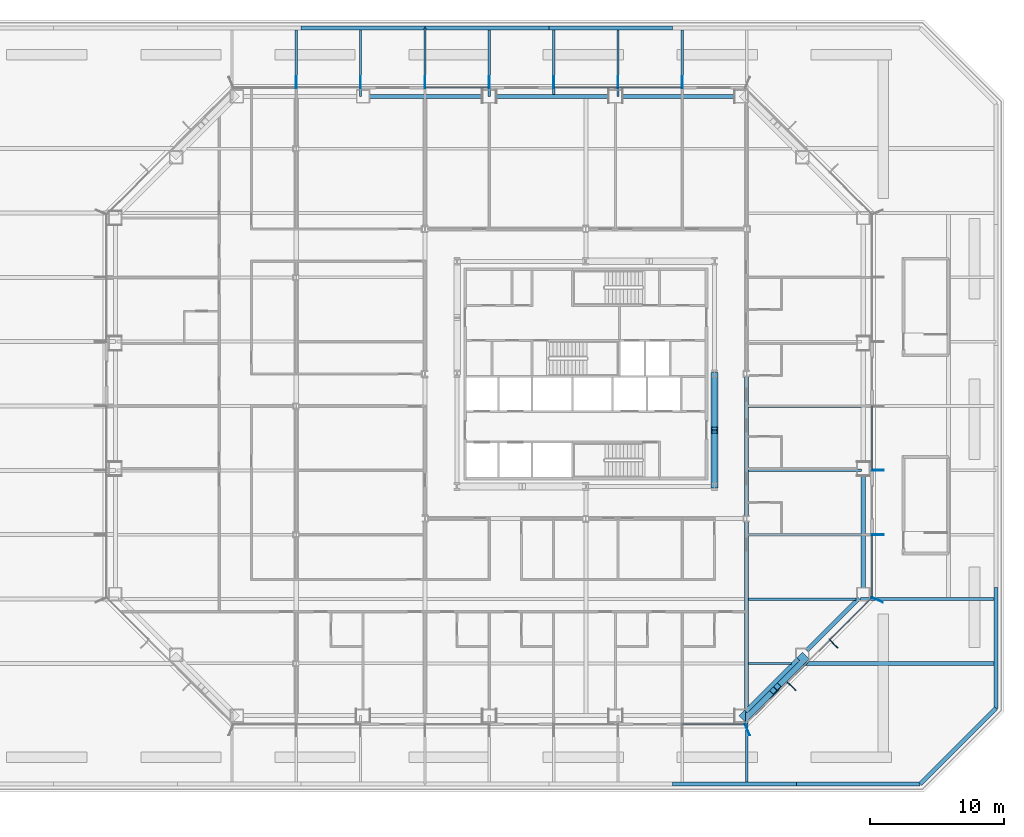
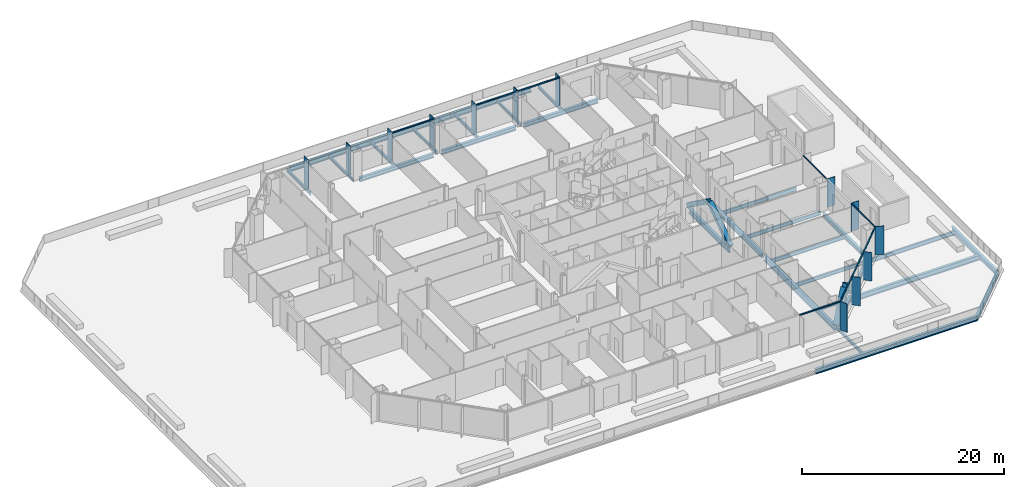
# One storey, part 5 of 18: 31 beams, 26 members, 4 elements without a shape of their own.
"""IFC4 building model written with IfcOpenShell, lengths in metres."""

from ifc_helpers import new_model, si_unit, direction, frame, origin, origin_2d, place, context, subcontext, project, spatial, rectangle, hollow_rectangle, i_section, extrude, material, material_profile, profile_set, type_object, element, aggregate, save


model = new_model("IFC4")

# Units and contexts
model_context = context("Model", 3, precision=1e-05, world=origin(), true_north=direction((0.0, 1.0)))
body_context = subcontext(model_context, "Body", "Model", "MODEL_VIEW")
ifc_project = project(units=[si_unit("LENGTHUNIT", "METRE"), si_unit("AREAUNIT", "SQUARE_METRE"), si_unit("VOLUMEUNIT", "CUBIC_METRE"), si_unit("PLANEANGLEUNIT", "RADIAN"), si_unit("MASSUNIT", "GRAM", prefix="KILO")], contexts=[model_context])

# Site, building, storey
site_placement = place(None, origin())
site = spatial("IfcSite", under=ifc_project, at=site_placement, CompositionType="ELEMENT")
building_placement = place(site_placement, origin())
building = spatial("IfcBuilding", under=site, at=building_placement, Name="Cairn Pilgrim Tower", CompositionType="ELEMENT")
storey_placement = place(building_placement, frame((0.0, 0.0, 40.199951171875)))
storey = spatial("IfcBuildingStorey", under=building, at=storey_placement, Name="L07", CompositionType="ELEMENT", Elevation=40.199951171875)

# Members
ifc_material_1 = material(Name="Structural steel S460M", Category="steel")
ifc_material_profile_1 = material_profile(ifc_material_1, hollow_rectangle(XDim=0.5, YDim=0.5, WallThickness=0.030029296875, at=origin_2d()), Name="BOX 500x500x30")
ifc_profile_set_1 = profile_set([ifc_material_profile_1], Name="Structural steel S460M")
member_type_1 = type_object("IfcMemberType", Name="BOX 500x500x30 BRACE", PredefinedType="BRACE", material=ifc_profile_set_1)
member_1_placement = place(storey_placement, frame((16.800048828125, -5.95458984375, 0.10009765625), z_axis=(0.0, 0.814083383497, 0.580748004486), x_axis=(-1.0, 0.0, 0.0)))
element("IfcMember", 1, at=member_1_placement, inside=storey, type_object=member_type_1, Name="KB-2A", PredefinedType="BRACE", context=body_context, shape_type="SweptSolid", body=[
    extrude(hollow_rectangle(XDim=0.5, YDim=0.5, WallThickness=0.030029296875, at=origin_2d()), origin(), (0.0, 0.0, 1.0), 4.9951171875),
])
member_2_placement = place(storey_placement, frame((16.800048828125, 2.3544921875, 0.10009765625), z_axis=(0.0, -0.814066898095, 0.580771112769), x_axis=(1.0, 0.0, 0.0)))
element("IfcMember", 2, at=member_2_placement, inside=storey, type_object=member_type_1, Name="KB-2B", PredefinedType="BRACE", context=body_context, shape_type="SweptSolid", body=[
    extrude(hollow_rectangle(XDim=0.5, YDim=0.5, WallThickness=0.030029296875, at=origin_2d()), origin(), (0.0, 0.0, 1.0), 4.994873046875),
])
ifc_material_profile_2 = material_profile(ifc_material_1, hollow_rectangle(XDim=0.699951171875, YDim=0.699951171875, WallThickness=0.0400390625, at=origin_2d()), Name="BOX 700x700x40")
ifc_profile_set_2 = profile_set([ifc_material_profile_2], Name="Structural steel S460M")
member_type_2 = type_object("IfcMemberType", Name="BOX 700x700x40 BRACE", PredefinedType="BRACE", material=ifc_profile_set_2)
member_3_placement = place(storey_placement, frame((19.0498046875, -23.181396484375, 0.150146484375), z_axis=(0.528118110354, 0.528118110354, 0.664968061663), x_axis=(-0.707106781187, 0.707106781187, 0.0)))
element("IfcMember", 3, at=member_3_placement, inside=storey, type_object=member_type_2, Name="XB-SE1-SE2-1", PredefinedType="BRACE", context=body_context, shape_type="SweptSolid", body=[
    extrude(hollow_rectangle(XDim=0.699951171875, YDim=0.699951171875, WallThickness=0.0400390625, at=origin_2d()), origin(), (0.0, 0.0, 1.0), 3.89990234375),
])
member_4_placement = place(storey_placement, frame((23.44482421875, -18.786376953125, 0.150146484375), z_axis=(-0.528090425698, -0.528090425698, 0.665012033404), x_axis=(0.707106781187, -0.707106781187, 0.0)))
element("IfcMember", 4, at=member_4_placement, inside=storey, type_object=member_type_2, Name="XB-SE1-SE2-2", PredefinedType="BRACE", context=body_context, shape_type="SweptSolid", body=[
    extrude(hollow_rectangle(XDim=0.699951171875, YDim=0.699951171875, WallThickness=0.0400390625, at=origin_2d()), origin(), (0.0, 0.0, 1.0), 3.899658203125),
])

# Curtain wall, members
ifc_material_2 = material(Name="Aluminium alloy 6063-T6 bronze anodised with Bronze tinted laminated low-E glass 8+16+8.8", Category="aluminium")
curtain_wall_type_1 = type_object("IfcCurtainWallType", Name="CHAMFER CORNER CURTAIN WALL", PredefinedType="NOTDEFINED", material=ifc_material_2)
curtain_wall_1_placement = place(storey_placement, origin())
curtain_wall_1 = element("IfcCurtainWall", 5, at=curtain_wall_1_placement, inside=storey, type_object=curtain_wall_type_1, Name="Chamfer Corner Curtain Wall SE", PredefinedType="NOTDEFINED")
ifc_material_3 = material(Name="Aluminium alloy 6063-T6 bronze anodised", Category="aluminium")
ifc_material_profile_3 = material_profile(ifc_material_3, rectangle(XDim=0.89990234375, YDim=0.06005859375, at=origin_2d()), Name="FIN MULLION 60x900 BRONZE")
ifc_profile_set_3 = profile_set([ifc_material_profile_3], Name="Aluminium alloy 6063-T6 bronze anodised")
member_type_3 = type_object("IfcMemberType", Name="FIN MULLION 60x900 BRONZE", PredefinedType="MULLION", material=ifc_profile_set_3)
member_5_placement = place(storey_placement, frame((19.257080078125, -24.137939453125, 0.0), z_axis=(0.0, 0.0, 1.0), x_axis=(0.382683432365, -0.923879532511, 0.0)))
member_5 = element("IfcMember", 6, at=member_5_placement, type_object=member_type_3, Name="Fin mullion SE1", PredefinedType="MULLION", context=body_context, shape_type="SweptSolid", body=[
    extrude(rectangle(XDim=0.89990234375, YDim=0.06005859375, at=origin_2d()), origin(), (0.0, 0.0, 1.0), 3.449951171875),
])
member_6_placement = place(storey_placement, frame((22.544677734375, -20.895751953125, 0.0), z_axis=(0.0, 0.0, 1.0), x_axis=(0.707106781187, -0.707106781187, 0.0)))
member_6 = element("IfcMember", 7, at=member_6_placement, type_object=member_type_3, Name="Fin mullion SE2", PredefinedType="MULLION", context=body_context, shape_type="SweptSolid", body=[
    extrude(rectangle(XDim=0.89990234375, YDim=0.06005859375, at=origin_2d()), origin(), (0.0, 0.0, 1.0), 3.449951171875),
])
member_7_placement = place(storey_placement, frame((25.69580078125, -17.74462890625, 0.0), z_axis=(0.0, 0.0, 1.0), x_axis=(0.707106781187, -0.707106781187, 0.0)))
member_7 = element("IfcMember", 8, at=member_7_placement, type_object=member_type_3, Name="Fin mullion SE3", PredefinedType="MULLION", context=body_context, shape_type="SweptSolid", body=[
    extrude(rectangle(XDim=0.89990234375, YDim=0.06005859375, at=origin_2d()), origin(), (0.0, 0.0, 1.0), 3.449951171875),
])

curtain_wall_type_2 = type_object("IfcCurtainWallType", Name="TOWER STICK CURTAIN WALL EW", PredefinedType="NOTDEFINED", material=ifc_material_2)
curtain_wall_2_placement = place(storey_placement, origin())
curtain_wall_2 = element("IfcCurtainWall", 9, at=curtain_wall_2_placement, inside=storey, type_object=curtain_wall_type_2, Name="Tower Stick Curtain Wall Ew E", PredefinedType="NOTDEFINED")
member_8_placement = place(storey_placement, frame((28.93798828125, -14.457275390625, 0.0), z_axis=(0.0, 0.0, 1.0), x_axis=(0.923879532511, -0.382683432365, 0.0)))
member_8 = element("IfcMember", 10, at=member_8_placement, type_object=member_type_3, Name="Fin mullion E1", PredefinedType="MULLION", context=body_context, shape_type="SweptSolid", body=[
    extrude(rectangle(XDim=0.89990234375, YDim=0.06005859375, at=origin_2d()), origin(), (0.0, 0.0, 1.0), 3.449951171875),
])
member_9_placement = place(storey_placement, frame((28.969970703125, -9.60009765625, 0.0), z_axis=(0.0, 0.0, 1.0), x_axis=(1.0, 0.0, 0.0)))
member_9 = element("IfcMember", 11, at=member_9_placement, type_object=member_type_3, Name="Fin mullion E2", PredefinedType="MULLION", context=body_context, shape_type="SweptSolid", body=[
    extrude(rectangle(XDim=0.89990234375, YDim=0.06005859375, at=origin_2d()), origin(), (0.0, 0.0, 1.0), 3.449951171875),
])
member_10_placement = place(storey_placement, frame((28.969970703125, -4.800048828125, 0.0), z_axis=(0.0, 0.0, 1.0), x_axis=(1.0, 0.0, 0.0)))
member_10 = element("IfcMember", 12, at=member_10_placement, type_object=member_type_3, Name="Fin mullion E3", PredefinedType="MULLION", context=body_context, shape_type="SweptSolid", body=[
    extrude(rectangle(XDim=0.89990234375, YDim=0.06005859375, at=origin_2d()), origin(), (0.0, 0.0, 1.0), 3.449951171875),
])

curtain_wall_type_3 = type_object("IfcCurtainWallType", Name="TOWER STICK CURTAIN WALL NS", PredefinedType="NOTDEFINED", material=ifc_material_2)
curtain_wall_3_placement = place(storey_placement, origin())
curtain_wall_3 = element("IfcCurtainWall", 13, at=curtain_wall_3_placement, inside=storey, type_object=curtain_wall_type_3, Name="Tower Stick Curtain Wall Ns N", PredefinedType="NOTDEFINED")
member_11_placement = place(storey_placement, frame((14.39990234375, 24.169921875, 0.0), z_axis=(0.0, 0.0, 1.0), x_axis=(0.0, 1.0, 0.0)))
member_11 = element("IfcMember", 14, at=member_11_placement, type_object=member_type_3, Name="Fin mullion N2", PredefinedType="MULLION", context=body_context, shape_type="SweptSolid", body=[
    extrude(rectangle(XDim=0.89990234375, YDim=0.06005859375, at=origin_2d()), origin(), (0.0, 0.0, 1.0), 3.449951171875),
])
member_12_placement = place(storey_placement, frame((9.60009765625, 24.169921875, 0.0), z_axis=(0.0, 0.0, 1.0), x_axis=(0.0, 1.0, 0.0)))
member_12 = element("IfcMember", 15, at=member_12_placement, type_object=member_type_3, Name="Fin mullion N3", PredefinedType="MULLION", context=body_context, shape_type="SweptSolid", body=[
    extrude(rectangle(XDim=0.89990234375, YDim=0.06005859375, at=origin_2d()), origin(), (0.0, 0.0, 1.0), 3.449951171875),
])
member_13_placement = place(storey_placement, frame((4.800048828125, 24.169921875, 0.0), z_axis=(0.0, 0.0, 1.0), x_axis=(0.0, 1.0, 0.0)))
member_13 = element("IfcMember", 16, at=member_13_placement, type_object=member_type_3, Name="Fin mullion N4", PredefinedType="MULLION", context=body_context, shape_type="SweptSolid", body=[
    extrude(rectangle(XDim=0.89990234375, YDim=0.06005859375, at=origin_2d()), origin(), (0.0, 0.0, 1.0), 3.449951171875),
])
member_14_placement = place(storey_placement, frame((0.0, 24.169921875, 0.0), z_axis=(0.0, 0.0, 1.0), x_axis=(0.0, 1.0, 0.0)))
member_14 = element("IfcMember", 17, at=member_14_placement, type_object=member_type_3, Name="Fin mullion N5", PredefinedType="MULLION", context=body_context, shape_type="SweptSolid", body=[
    extrude(rectangle(XDim=0.89990234375, YDim=0.06005859375, at=origin_2d()), origin(), (0.0, 0.0, 1.0), 3.449951171875),
])
member_15_placement = place(storey_placement, frame((-4.800048828125, 24.169921875, 0.0), z_axis=(0.0, 0.0, 1.0), x_axis=(0.0, 1.0, 0.0)))
member_15 = element("IfcMember", 18, at=member_15_placement, type_object=member_type_3, Name="Fin mullion N6", PredefinedType="MULLION", context=body_context, shape_type="SweptSolid", body=[
    extrude(rectangle(XDim=0.89990234375, YDim=0.06005859375, at=origin_2d()), origin(), (0.0, 0.0, 1.0), 3.449951171875),
])
member_16_placement = place(storey_placement, frame((-9.60009765625, 24.169921875, 0.0), z_axis=(0.0, 0.0, 1.0), x_axis=(0.0, 1.0, 0.0)))
member_16 = element("IfcMember", 19, at=member_16_placement, type_object=member_type_3, Name="Fin mullion N7", PredefinedType="MULLION", context=body_context, shape_type="SweptSolid", body=[
    extrude(rectangle(XDim=0.89990234375, YDim=0.06005859375, at=origin_2d()), origin(), (0.0, 0.0, 1.0), 3.449951171875),
])
member_17_placement = place(storey_placement, frame((-14.39990234375, 24.169921875, 0.0), z_axis=(0.0, 0.0, 1.0), x_axis=(0.0, 1.0, 0.0)))
member_17 = element("IfcMember", 20, at=member_17_placement, type_object=member_type_3, Name="Fin mullion N8", PredefinedType="MULLION", context=body_context, shape_type="SweptSolid", body=[
    extrude(rectangle(XDim=0.89990234375, YDim=0.06005859375, at=origin_2d()), origin(), (0.0, 0.0, 1.0), 3.449951171875),
])

# Beams
ifc_material_4 = material(Name="Structural steel S355J2", Category="steel")
ifc_material_profile_4 = material_profile(ifc_material_4, i_section(OverallWidth=0.300048828125, OverallDepth=0.5, WebThickness=0.014404296875, FlangeThickness=0.028076171875, FilletRadius=0.027099609375, at=origin_2d()), Name="HEB 500")
ifc_profile_set_4 = profile_set([ifc_material_profile_4], Name="Structural steel S355J2")
beam_type_1 = type_object("IfcBeamType", Name="HEB 500 RING GIRDER", PredefinedType="SPANDREL", material=ifc_profile_set_4)
for number, where, z_axis, x_axis, name in (
    (21, (19.1455078125, -22.78173828125, -0.39990234375), (0.707106781187, 0.707106781187, 0.0), (-0.707106781187, 0.707106781187, 0.0), "RG1-SE1-SE2"),
    (22, (23.681884765625, -18.245361328125, -0.39990234375), (0.707106781187, 0.707106781187, 0.0), (-0.707106781187, 0.707106781187, 0.0), "RG1-SE2-E1"),
):
    element("IfcBeam", number, at=place(storey_placement, frame(where, z_axis=z_axis, x_axis=x_axis)), inside=storey, type_object=beam_type_1, Name=name, PredefinedType="SPANDREL", context=body_context, shape_type="SweptSolid", body=[
        extrude(i_section(OverallWidth=0.300048828125, OverallDepth=0.5, WebThickness=0.014404296875, FlangeThickness=0.028076171875, FilletRadius=0.027099609375, at=origin_2d()), origin(), (0.0, 0.0, 1.0), 5.515380859375),
    ])
beam_1_placement = place(storey_placement, frame((27.89990234375, -13.5771484375, -0.39990234375), z_axis=(0.0, 1.0, 0.0), x_axis=(-1.0, 0.0, 0.0)))
element("IfcBeam", 23, at=beam_1_placement, inside=storey, type_object=beam_type_1, Name="RG1-E1-E2", PredefinedType="SPANDREL", context=body_context, shape_type="SweptSolid", body=[
    extrude(i_section(OverallWidth=0.300048828125, OverallDepth=0.5, WebThickness=0.014404296875, FlangeThickness=0.028076171875, FilletRadius=0.027099609375, at=origin_2d()), origin(), (0.0, 0.0, 1.0), 8.451416015625),
])
for number, where, z_axis, x_axis, name in (
    (24, (18.377197265625, 23.10009765625, -0.39990234375), (-1.0, 0.0, 0.0), (0.0, -1.0, 0.0), "RG1-N1-N2"),
    (25, (8.963623046875, 23.10009765625, -0.39990234375), (-1.0, 0.0, 0.0), (0.0, -1.0, 0.0), "RG1-N2-N3"),
    (26, (-0.449951171875, 23.10009765625, -0.39990234375), (-1.0, 0.0, 0.0), (0.0, -1.0, 0.0), "RG1-N3-N4"),
):
    element("IfcBeam", number, at=place(storey_placement, frame(where, z_axis=z_axis, x_axis=x_axis)), inside=storey, type_object=beam_type_1, Name=name, PredefinedType="SPANDREL", context=body_context, shape_type="SweptSolid", body=[
        extrude(i_section(OverallWidth=0.300048828125, OverallDepth=0.5, WebThickness=0.014404296875, FlangeThickness=0.028076171875, FilletRadius=0.027099609375, at=origin_2d()), origin(), (0.0, 0.0, 1.0), 8.513671875),
    ])
ifc_material_profile_5 = material_profile(ifc_material_4, i_section(OverallWidth=0.300048828125, OverallDepth=0.60009765625, WebThickness=0.015380859375, FlangeThickness=0.030029296875, FilletRadius=0.027099609375, at=origin_2d()), Name="HEB 600")
ifc_profile_set_5 = profile_set([ifc_material_profile_5], Name="Structural steel S355J2")
beam_type_2 = type_object("IfcBeamType", Name="HEB 600 CORE BEAM", PredefinedType="BEAM", material=ifc_profile_set_5)
beam_2_placement = place(storey_placement, frame((16.800048828125, -5.795654296875, -0.449951171875), z_axis=(0.0, 1.0, 0.0), x_axis=(-1.0, 0.0, 0.0)))
element("IfcBeam", 27, at=beam_2_placement, inside=storey, type_object=beam_type_2, Name="CB-3", PredefinedType="BEAM", context=body_context, shape_type="SweptSolid", body=[
    extrude(i_section(OverallWidth=0.300048828125, OverallDepth=0.60009765625, WebThickness=0.015380859375, FlangeThickness=0.030029296875, FilletRadius=0.027099609375, at=origin_2d()), origin(), (0.0, 0.0, 1.0), 7.991455078125),
])
ifc_material_profile_6 = material_profile(ifc_material_4, i_section(OverallWidth=0.300048828125, OverallDepth=0.60009765625, WebThickness=0.015380859375, FlangeThickness=0.030029296875, FilletRadius=0.027099609375, at=origin_2d()), Name="HEB 600")
ifc_profile_set_6 = profile_set([ifc_material_profile_6], Name="Structural steel S355J2")
beam_type_3 = type_object("IfcBeamType", Name="HEB 600 GIRDER", PredefinedType="BEAM", material=ifc_profile_set_6)
beam_3_placement = place(storey_placement, frame((19.199951171875, -8.18798828125, -0.449951171875), z_axis=(0.0, 1.0, 0.0), x_axis=(-1.0, 0.0, 0.0)))
element("IfcBeam", 28, at=beam_3_placement, inside=storey, type_object=beam_type_3, Name="PG4-2", PredefinedType="BEAM", context=body_context, shape_type="SweptSolid", body=[
    extrude(i_section(OverallWidth=0.300048828125, OverallDepth=0.60009765625, WebThickness=0.015380859375, FlangeThickness=0.030029296875, FilletRadius=0.027099609375, at=origin_2d()), origin(), (0.0, 0.0, 1.0), 10.3759765625),
])
ifc_material_profile_7 = material_profile(ifc_material_4, i_section(OverallWidth=0.300048828125, OverallDepth=0.699951171875, WebThickness=0.01708984375, FlangeThickness=0.031982421875, FilletRadius=0.027099609375, at=origin_2d()), Name="HEB 700")
ifc_profile_set_7 = profile_set([ifc_material_profile_7], Name="Structural steel S355J2")
beam_type_4 = type_object("IfcBeamType", Name="HEB 700 GIRDER", PredefinedType="BEAM", material=ifc_profile_set_7)
beam_4_placement = place(storey_placement, frame((19.199951171875, -22.545166015625, -0.5), z_axis=(0.0, 1.0, 0.0), x_axis=(-1.0, 0.0, 0.0)))
element("IfcBeam", 29, at=beam_4_placement, inside=storey, type_object=beam_type_4, Name="PG4-1", PredefinedType="BEAM", context=body_context, shape_type="SweptSolid", body=[
    extrude(i_section(OverallWidth=0.300048828125, OverallDepth=0.699951171875, WebThickness=0.01708984375, FlangeThickness=0.031982421875, FilletRadius=0.027099609375, at=origin_2d()), origin(), (0.0, 0.0, 1.0), 13.93310546875),
])
ifc_material_profile_8 = material_profile(ifc_material_4, i_section(OverallWidth=0.169921875, OverallDepth=0.360107421875, WebThickness=0.008056640625, FlangeThickness=0.0126953125, FilletRadius=0.01806640625, at=origin_2d()), Name="IPE 360")
ifc_profile_set_8 = profile_set([ifc_material_profile_8], Name="Structural steel S355J2")
beam_type_5 = type_object("IfcBeamType", Name="IPE 360 SECONDARY BEAM", PredefinedType="JOIST", material=ifc_profile_set_8)
beam_5_placement = place(storey_placement, frame((19.35009765625, -19.199951171875, -0.329833984375), z_axis=(1.0, 0.0, 0.0), x_axis=(0.0, 1.0, 0.0)))
element("IfcBeam", 30, at=beam_5_placement, inside=storey, type_object=beam_type_5, Name="SB1-5", PredefinedType="JOIST", context=body_context, shape_type="SweptSolid", body=[
    extrude(i_section(OverallWidth=0.169921875, OverallDepth=0.360107421875, WebThickness=0.008056640625, FlangeThickness=0.0126953125, FilletRadius=0.01806640625, at=origin_2d()), origin(), (0.0, 0.0, 1.0), 3.195068359375),
])
ifc_material_profile_9 = material_profile(ifc_material_4, i_section(OverallWidth=0.18994140625, OverallDepth=0.449951171875, WebThickness=0.009521484375, FlangeThickness=0.0146484375, FilletRadius=0.02099609375, at=origin_2d()), Name="IPE 450")
ifc_profile_set_9 = profile_set([ifc_material_profile_9], Name="Structural steel S355J2")
beam_type_6 = type_object("IfcBeamType", Name="IPE 450 SECONDARY BEAM", PredefinedType="JOIST", material=ifc_profile_set_9)
beam_6_placement = place(storey_placement, frame((19.35009765625, -14.39990234375, -0.375), z_axis=(1.0, 0.0, 0.0), x_axis=(0.0, 1.0, 0.0)))
element("IfcBeam", 31, at=beam_6_placement, inside=storey, type_object=beam_type_6, Name="SB2-5", PredefinedType="JOIST", context=body_context, shape_type="SweptSolid", body=[
    extrude(i_section(OverallWidth=0.18994140625, OverallDepth=0.449951171875, WebThickness=0.009521484375, FlangeThickness=0.0146484375, FilletRadius=0.02099609375, at=origin_2d()), origin(), (0.0, 0.0, 1.0), 7.9951171875),
])
for number, where, z_axis, x_axis, name in (
    (32, (19.35009765625, -9.60009765625, -0.375), (1.0, 0.0, 0.0), (0.0, 1.0, 0.0), "SB3-3"),
    (33, (19.35009765625, -4.800048828125, -0.375), (1.0, 0.0, 0.0), (0.0, 1.0, 0.0), "SB4-3"),
    (34, (19.35009765625, 0.0, -0.375), (1.0, 0.0, 0.0), (0.0, 1.0, 0.0), "SB5-3"),
):
    element("IfcBeam", number, at=place(storey_placement, frame(where, z_axis=z_axis, x_axis=x_axis)), inside=storey, type_object=beam_type_6, Name=name, PredefinedType="JOIST", context=body_context, shape_type="SweptSolid", body=[
        extrude(i_section(OverallWidth=0.18994140625, OverallDepth=0.449951171875, WebThickness=0.009521484375, FlangeThickness=0.0146484375, FilletRadius=0.02099609375, at=origin_2d()), origin(), (0.0, 0.0, 1.0), 8.429931640625),
    ])
ifc_material_profile_10 = material_profile(ifc_material_4, i_section(OverallWidth=0.300048828125, OverallDepth=0.60009765625, WebThickness=0.015380859375, FlangeThickness=0.030029296875, FilletRadius=0.027099609375, at=origin_2d()), Name="HEB 600")
ifc_profile_set_10 = profile_set([ifc_material_profile_10], Name="Structural steel S355J2")
beam_type_7 = type_object("IfcBeamType", Name="PODIUM BEAM HE 600 B", PredefinedType="BEAM", material=ifc_profile_set_10)
beam_7_placement = place(storey_placement, frame((22.879150390625, -19.199951171875, -0.449951171875), z_axis=(1.0, 0.0, 0.0), x_axis=(0.0, 1.0, 0.0)))
element("IfcBeam", 35, at=beam_7_placement, inside=storey, type_object=beam_type_7, Name="PODIUM BEAM PB-HE600B", PredefinedType="BEAM", context=body_context, shape_type="SweptSolid", body=[
    extrude(i_section(OverallWidth=0.300048828125, OverallDepth=0.60009765625, WebThickness=0.015380859375, FlangeThickness=0.030029296875, FilletRadius=0.027099609375, at=origin_2d()), origin(), (0.0, 0.0, 1.0), 14.768798828125),
])
ifc_material_profile_11 = material_profile(ifc_material_4, i_section(OverallWidth=0.169921875, OverallDepth=0.360107421875, WebThickness=0.008056640625, FlangeThickness=0.0126953125, FilletRadius=0.01806640625, at=origin_2d()), Name="IPE 360")
ifc_profile_set_11 = profile_set([ifc_material_profile_11], Name="Structural steel S355J2")
beam_type_8 = type_object("IfcBeamType", Name="PODIUM BEAM IPE 360", PredefinedType="BEAM", material=ifc_profile_set_11)
beam_8_placement = place(storey_placement, frame((-14.39990234375, 23.251953125, -0.329833984375), z_axis=(0.0, 1.0, 0.0), x_axis=(-1.0, 0.0, 0.0)))
element("IfcBeam", 36, at=beam_8_placement, inside=storey, type_object=beam_type_8, Name="PODIUM BEAM PB-IPE360", PredefinedType="BEAM", context=body_context, shape_type="SweptSolid", body=[
    extrude(i_section(OverallWidth=0.169921875, OverallDepth=0.360107421875, WebThickness=0.008056640625, FlangeThickness=0.0126953125, FilletRadius=0.01806640625, at=origin_2d()), origin(), (0.0, 0.0, 1.0), 4.796142578125),
])
for number, where, z_axis, x_axis, name in (
    (37, (-9.60009765625, 23.10009765625, -0.329833984375), (0.0, 1.0, 0.0), (-1.0, 0.0, 0.0), "PODIUM BEAM PB-IPE360"),
    (38, (-4.800048828125, 23.251953125, -0.329833984375), (0.0, 1.0, 0.0), (-1.0, 0.0, 0.0), "PODIUM BEAM PB-IPE360"),
    (39, (0.0, 23.10009765625, -0.329833984375), (0.0, 1.0, 0.0), (-1.0, 0.0, 0.0), "PODIUM BEAM PB-IPE360"),
):
    element("IfcBeam", number, at=place(storey_placement, frame(where, z_axis=z_axis, x_axis=x_axis)), inside=storey, type_object=beam_type_8, Name=name, PredefinedType="BEAM", context=body_context, shape_type="SweptSolid", body=[
        extrude(i_section(OverallWidth=0.169921875, OverallDepth=0.360107421875, WebThickness=0.008056640625, FlangeThickness=0.0126953125, FilletRadius=0.01806640625, at=origin_2d()), origin(), (0.0, 0.0, 1.0), 4.947998046875),
    ])
beam_9_placement = place(storey_placement, frame((4.800048828125, 23.251953125, -0.329833984375), z_axis=(0.0, 1.0, 0.0), x_axis=(-1.0, 0.0, 0.0)))
element("IfcBeam", 40, at=beam_9_placement, inside=storey, type_object=beam_type_8, Name="PODIUM BEAM PB-IPE360", PredefinedType="BEAM", context=body_context, shape_type="SweptSolid", body=[
    extrude(i_section(OverallWidth=0.169921875, OverallDepth=0.360107421875, WebThickness=0.008056640625, FlangeThickness=0.0126953125, FilletRadius=0.01806640625, at=origin_2d()), origin(), (0.0, 0.0, 1.0), 4.796142578125),
])
beam_10_placement = place(storey_placement, frame((9.60009765625, 23.10009765625, -0.329833984375), z_axis=(0.0, 1.0, 0.0), x_axis=(-1.0, 0.0, 0.0)))
element("IfcBeam", 41, at=beam_10_placement, inside=storey, type_object=beam_type_8, Name="PODIUM BEAM PB-IPE360", PredefinedType="BEAM", context=body_context, shape_type="SweptSolid", body=[
    extrude(i_section(OverallWidth=0.169921875, OverallDepth=0.360107421875, WebThickness=0.008056640625, FlangeThickness=0.0126953125, FilletRadius=0.01806640625, at=origin_2d()), origin(), (0.0, 0.0, 1.0), 4.947998046875),
])
beam_11_placement = place(storey_placement, frame((14.39990234375, 23.251953125, -0.329833984375), z_axis=(0.0, 1.0, 0.0), x_axis=(-1.0, 0.0, 0.0)))
element("IfcBeam", 42, at=beam_11_placement, inside=storey, type_object=beam_type_8, Name="PODIUM BEAM PB-IPE360", PredefinedType="BEAM", context=body_context, shape_type="SweptSolid", body=[
    extrude(i_section(OverallWidth=0.169921875, OverallDepth=0.360107421875, WebThickness=0.008056640625, FlangeThickness=0.0126953125, FilletRadius=0.01806640625, at=origin_2d()), origin(), (0.0, 0.0, 1.0), 4.796142578125),
])
beam_12_placement = place(storey_placement, frame((19.199951171875, -28.048095703125, -0.329833984375), z_axis=(0.0, 1.0, 0.0), x_axis=(-1.0, 0.0, 0.0)))
element("IfcBeam", 43, at=beam_12_placement, inside=storey, type_object=beam_type_8, Name="PODIUM BEAM PB-IPE360", PredefinedType="BEAM", context=body_context, shape_type="SweptSolid", body=[
    extrude(i_section(OverallWidth=0.169921875, OverallDepth=0.360107421875, WebThickness=0.008056640625, FlangeThickness=0.0126953125, FilletRadius=0.01806640625, at=origin_2d()), origin(), (0.0, 0.0, 1.0), 5.1689453125),
])
ifc_material_profile_12 = material_profile(ifc_material_4, i_section(OverallWidth=0.199951171875, OverallDepth=0.5, WebThickness=0.01025390625, FlangeThickness=0.01611328125, FilletRadius=0.02099609375, at=origin_2d()), Name="IPE 500")
ifc_profile_set_12 = profile_set([ifc_material_profile_12], Name="Structural steel S355J2")
beam_type_9 = type_object("IfcBeamType", Name="PODIUM BEAM IPE 500", PredefinedType="BEAM", material=ifc_profile_set_12)
beam_13_placement = place(storey_placement, frame((27.67919921875, -14.39990234375, -0.39990234375), z_axis=(1.0, 0.0, 0.0), x_axis=(0.0, 1.0, 0.0)))
element("IfcBeam", 44, at=beam_13_placement, inside=storey, type_object=beam_type_9, Name="PODIUM BEAM PB-IPE500", PredefinedType="BEAM", context=body_context, shape_type="SweptSolid", body=[
    extrude(i_section(OverallWidth=0.199951171875, OverallDepth=0.5, WebThickness=0.01025390625, FlangeThickness=0.01611328125, FilletRadius=0.02099609375, at=origin_2d()), origin(), (0.0, 0.0, 1.0), 9.96875),
])
ifc_material_profile_13 = material_profile(ifc_material_4, i_section(OverallWidth=0.300048828125, OverallDepth=0.60009765625, WebThickness=0.015380859375, FlangeThickness=0.030029296875, FilletRadius=0.027099609375, at=origin_2d()), Name="HEB 600")
ifc_profile_set_13 = profile_set([ifc_material_profile_13], Name="Structural steel S355J2")
beam_type_10 = type_object("IfcBeamType", Name="PODIUM EDGE GIRDER HE 600 B", PredefinedType="BEAM", material=ifc_profile_set_13)
beam_14_placement = place(storey_placement, frame((13.67578125, -28.199951171875, -0.449951171875), z_axis=(1.0, 0.0, 0.0), x_axis=(0.0, 1.0, 0.0)))
element("IfcBeam", 45, at=beam_14_placement, inside=storey, type_object=beam_type_10, Name="PODIUM EDGE GIRDER PE-HE600B", PredefinedType="BEAM", context=body_context, shape_type="SweptSolid", body=[
    extrude(i_section(OverallWidth=0.300048828125, OverallDepth=0.60009765625, WebThickness=0.015380859375, FlangeThickness=0.030029296875, FilletRadius=0.027099609375, at=origin_2d()), origin(), (0.0, 0.0, 1.0), 9.23779296875),
])
beam_15_placement = place(storey_placement, frame((22.91357421875, -28.199951171875, -0.449951171875), z_axis=(1.0, 0.0, 0.0), x_axis=(0.0, 1.0, 0.0)))
element("IfcBeam", 46, at=beam_15_placement, inside=storey, type_object=beam_type_10, Name="PODIUM EDGE GIRDER PE-HE600B", PredefinedType="BEAM", context=body_context, shape_type="SweptSolid", body=[
    extrude(i_section(OverallWidth=0.300048828125, OverallDepth=0.60009765625, WebThickness=0.015380859375, FlangeThickness=0.030029296875, FilletRadius=0.027099609375, at=origin_2d()), origin(), (0.0, 0.0, 1.0), 9.238037109375),
])
beam_16_placement = place(storey_placement, frame((32.151611328125, -28.199951171875, -0.449951171875), z_axis=(0.707106781187, 0.707106781187, 0.0), x_axis=(-0.707106781187, 0.707106781187, 0.0)))
element("IfcBeam", 47, at=beam_16_placement, inside=storey, type_object=beam_type_10, Name="PODIUM EDGE GIRDER PE-HE600B", PredefinedType="BEAM", context=body_context, shape_type="SweptSolid", body=[
    extrude(i_section(OverallWidth=0.300048828125, OverallDepth=0.60009765625, WebThickness=0.015380859375, FlangeThickness=0.030029296875, FilletRadius=0.027099609375, at=origin_2d()), origin(), (0.0, 0.0, 1.0), 7.988037109375),
])
beam_17_placement = place(storey_placement, frame((37.800048828125, -22.551513671875, -0.449951171875), z_axis=(0.0, 1.0, 0.0), x_axis=(-1.0, 0.0, 0.0)))
element("IfcBeam", 48, at=beam_17_placement, inside=storey, type_object=beam_type_10, Name="PODIUM EDGE GIRDER PE-HE600B", PredefinedType="BEAM", context=body_context, shape_type="SweptSolid", body=[
    extrude(i_section(OverallWidth=0.300048828125, OverallDepth=0.60009765625, WebThickness=0.015380859375, FlangeThickness=0.030029296875, FilletRadius=0.027099609375, at=origin_2d()), origin(), (0.0, 0.0, 1.0), 9.0205078125),
])
beam_18_placement = place(storey_placement, frame((13.67578125, 28.199951171875, -0.449951171875), z_axis=(-1.0, 0.0, 0.0), x_axis=(0.0, -1.0, 0.0)))
element("IfcBeam", 49, at=beam_18_placement, inside=storey, type_object=beam_type_10, Name="PODIUM EDGE GIRDER PE-HE600B", PredefinedType="BEAM", context=body_context, shape_type="SweptSolid", body=[
    extrude(i_section(OverallWidth=0.300048828125, OverallDepth=0.60009765625, WebThickness=0.015380859375, FlangeThickness=0.030029296875, FilletRadius=0.027099609375, at=origin_2d()), origin(), (0.0, 0.0, 1.0), 9.23779296875),
])
beam_19_placement = place(storey_placement, frame((4.43798828125, 28.199951171875, -0.449951171875), z_axis=(-1.0, 0.0, 0.0), x_axis=(0.0, -1.0, 0.0)))
element("IfcBeam", 50, at=beam_19_placement, inside=storey, type_object=beam_type_10, Name="PODIUM EDGE GIRDER PE-HE600B", PredefinedType="BEAM", context=body_context, shape_type="SweptSolid", body=[
    extrude(i_section(OverallWidth=0.300048828125, OverallDepth=0.60009765625, WebThickness=0.015380859375, FlangeThickness=0.030029296875, FilletRadius=0.027099609375, at=origin_2d()), origin(), (0.0, 0.0, 1.0), 9.238037109375),
])
beam_20_placement = place(storey_placement, frame((-4.800048828125, 28.199951171875, -0.449951171875), z_axis=(-1.0, 0.0, 0.0), x_axis=(0.0, -1.0, 0.0)))
element("IfcBeam", 51, at=beam_20_placement, inside=storey, type_object=beam_type_10, Name="PODIUM EDGE GIRDER PE-HE600B", PredefinedType="BEAM", context=body_context, shape_type="SweptSolid", body=[
    extrude(i_section(OverallWidth=0.300048828125, OverallDepth=0.60009765625, WebThickness=0.015380859375, FlangeThickness=0.030029296875, FilletRadius=0.027099609375, at=origin_2d()), origin(), (0.0, 0.0, 1.0), 9.23779296875),
])

# Curtain wall, member
curtain_wall_4_placement = place(storey_placement, origin())
curtain_wall_4 = element("IfcCurtainWall", 52, at=curtain_wall_4_placement, inside=storey, type_object=curtain_wall_type_3, Name="Tower Stick Curtain Wall Ns S", PredefinedType="NOTDEFINED")
ifc_material_profile_14 = material_profile(ifc_material_3, rectangle(XDim=0.080078125, YDim=0.14990234375, at=origin_2d()), Name="TRANSOM 80x150 BRONZE")
ifc_profile_set_14 = profile_set([ifc_material_profile_14], Name="Aluminium alloy 6063-T6 bronze anodised")
member_type_4 = type_object("IfcMemberType", Name="TRANSOM 80x150 BRONZE", PredefinedType="USERDEFINED", material=ifc_profile_set_14)
member_18_placement = place(storey_placement, frame((14.429931640625, -23.75, 3.375), z_axis=(1.0, 0.0, 0.0), x_axis=(0.0, 1.0, 0.0)))
member_18 = element("IfcMember", 53, at=member_18_placement, type_object=member_type_4, Name="Transom S8", ObjectType="TRANSOM", PredefinedType="USERDEFINED", context=body_context, shape_type="SweptSolid", body=[
    extrude(rectangle(XDim=0.080078125, YDim=0.14990234375, at=origin_2d()), origin(), (0.0, 0.0, 1.0), 4.62646484375),
])
aggregate(curtain_wall_4, [member_18])

# Member
member_19_placement = place(storey_placement, frame((19.124755859375, -23.7216796875, 3.375), z_axis=(0.707106781187, 0.707106781187, 0.0), x_axis=(-0.707106781187, 0.707106781187, 0.0)))
member_19 = element("IfcMember", 54, at=member_19_placement, type_object=member_type_4, Name="Transom SE1", ObjectType="TRANSOM", PredefinedType="USERDEFINED", context=body_context, shape_type="SweptSolid", body=[
    extrude(rectangle(XDim=0.080078125, YDim=0.14990234375, at=origin_2d()), origin(), (0.0, 0.0, 1.0), 4.38623046875),
])

member_20_placement = place(storey_placement, frame((22.268798828125, -20.57763671875, 3.375), z_axis=(0.707106781187, 0.707106781187, 0.0), x_axis=(-0.707106781187, 0.707106781187, 0.0)))
member_20 = element("IfcMember", 55, at=member_20_placement, type_object=member_type_4, Name="Transom SE2", ObjectType="TRANSOM", PredefinedType="USERDEFINED", context=body_context, shape_type="SweptSolid", body=[
    extrude(rectangle(XDim=0.080078125, YDim=0.14990234375, at=origin_2d()), origin(), (0.0, 0.0, 1.0), 4.396728515625),
])

member_21_placement = place(storey_placement, frame((25.419921875, -17.426513671875, 3.375), z_axis=(0.707106781187, 0.707106781187, 0.0), x_axis=(-0.707106781187, 0.707106781187, 0.0)))
member_21 = element("IfcMember", 56, at=member_21_placement, type_object=member_type_4, Name="Transom SE3", ObjectType="TRANSOM", PredefinedType="USERDEFINED", context=body_context, shape_type="SweptSolid", body=[
    extrude(rectangle(XDim=0.080078125, YDim=0.14990234375, at=origin_2d()), origin(), (0.0, 0.0, 1.0), 4.38671875),
])

aggregate(curtain_wall_1, [member_5, member_6, member_7, member_19, member_20, member_21])

member_22_placement = place(storey_placement, frame((28.550048828125, -14.25634765625, 3.375), z_axis=(0.0, 1.0, 0.0), x_axis=(-1.0, 0.0, 0.0)))
member_22 = element("IfcMember", 57, at=member_22_placement, type_object=member_type_4, Name="Transom E1", ObjectType="TRANSOM", PredefinedType="USERDEFINED", context=body_context, shape_type="SweptSolid", body=[
    extrude(rectangle(XDim=0.080078125, YDim=0.14990234375, at=origin_2d()), origin(), (0.0, 0.0, 1.0), 4.62646484375),
])

member_23_placement = place(storey_placement, frame((28.550048828125, -4.77001953125, 3.375), z_axis=(0.0, 1.0, 0.0), x_axis=(-1.0, 0.0, 0.0)))
member_23 = element("IfcMember", 58, at=member_23_placement, type_object=member_type_4, Name="Transom E3", ObjectType="TRANSOM", PredefinedType="USERDEFINED", context=body_context, shape_type="SweptSolid", body=[
    extrude(rectangle(XDim=0.080078125, YDim=0.14990234375, at=origin_2d()), origin(), (0.0, 0.0, 1.0), 4.739990234375),
])

aggregate(curtain_wall_2, [member_8, member_9, member_10, member_22, member_23])

member_24_placement = place(storey_placement, frame((14.3701171875, 23.75, 3.375), z_axis=(-1.0, 0.0, 0.0), x_axis=(0.0, -1.0, 0.0)))
member_24 = element("IfcMember", 59, at=member_24_placement, type_object=member_type_4, Name="Transom N2", ObjectType="TRANSOM", PredefinedType="USERDEFINED", context=body_context, shape_type="SweptSolid", body=[
    extrude(rectangle(XDim=0.080078125, YDim=0.14990234375, at=origin_2d()), origin(), (0.0, 0.0, 1.0), 4.740234375),
])

member_25_placement = place(storey_placement, frame((9.570068359375, 23.75, 3.375), z_axis=(-1.0, 0.0, 0.0), x_axis=(0.0, -1.0, 0.0)))
member_25 = element("IfcMember", 60, at=member_25_placement, type_object=member_type_4, Name="Transom N3", ObjectType="TRANSOM", PredefinedType="USERDEFINED", context=body_context, shape_type="SweptSolid", body=[
    extrude(rectangle(XDim=0.080078125, YDim=0.14990234375, at=origin_2d()), origin(), (0.0, 0.0, 1.0), 4.739990234375),
])

member_26_placement = place(storey_placement, frame((-0.030029296875, 23.75, 3.375), z_axis=(-1.0, 0.0, 0.0), x_axis=(0.0, -1.0, 0.0)))
member_26 = element("IfcMember", 61, at=member_26_placement, type_object=member_type_4, Name="Transom N5", ObjectType="TRANSOM", PredefinedType="USERDEFINED", context=body_context, shape_type="SweptSolid", body=[
    extrude(rectangle(XDim=0.080078125, YDim=0.14990234375, at=origin_2d()), origin(), (0.0, 0.0, 1.0), 4.739990234375),
])

aggregate(curtain_wall_3, [member_11, member_12, member_13, member_14, member_15, member_16, member_17, member_24, member_25, member_26])

save(model, "model.ifc")
